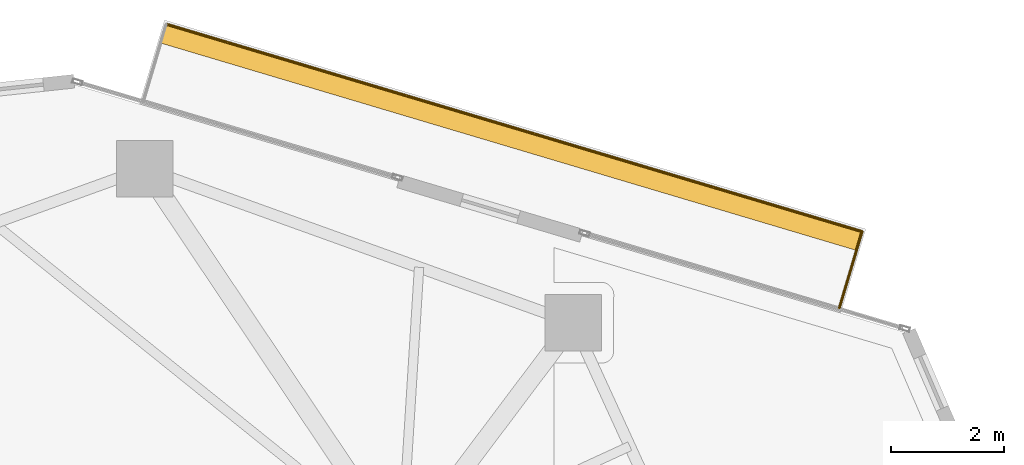
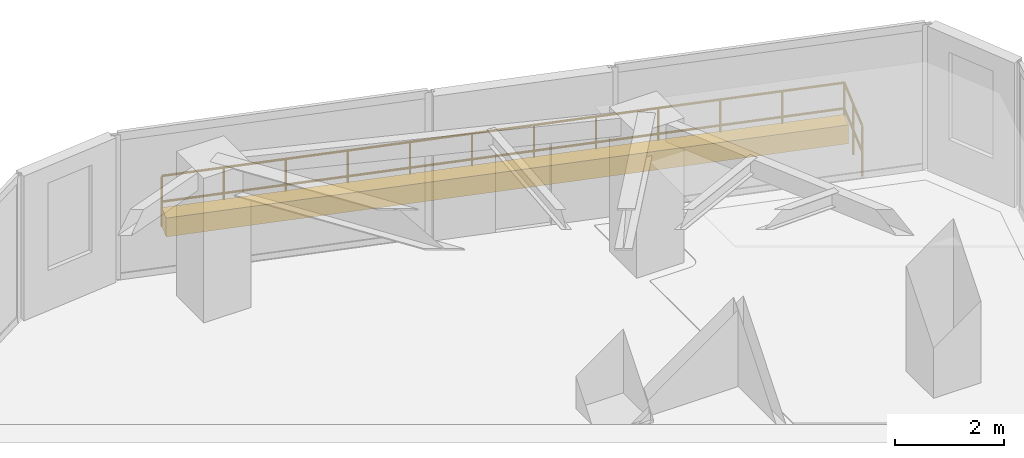
# One storey, part 21 of 21: 2 railings, 1 covering.
"""IFC4 building model written with IfcOpenShell, lengths in metres."""

from ifc_helpers import new_model, si_unit, direction, frame, origin, origin_2d, place, context, subcontext, project, spatial, polyline, circle, outline, extrude, material, layer, layer_set, type_object, element, save


model = new_model("IFC4")

# Units and contexts
model_context = context("Model", 3, precision=1e-05, world=origin(), true_north=direction((0.0, 1.0)))
body_context = subcontext(model_context, "Body", "Model", "MODEL_VIEW")
ifc_project = project(units=[si_unit("LENGTHUNIT", "METRE"), si_unit("AREAUNIT", "SQUARE_METRE"), si_unit("VOLUMEUNIT", "CUBIC_METRE"), si_unit("PLANEANGLEUNIT", "RADIAN"), si_unit("MASSUNIT", "GRAM", prefix="KILO")], contexts=[model_context])

# Site, building, storey
site_placement = place(None, origin())
site = spatial("IfcSite", under=ifc_project, at=site_placement, CompositionType="ELEMENT")
building_placement = place(site_placement, origin())
building = spatial("IfcBuilding", under=site, at=building_placement, Name="Talar Marvaseh", CompositionType="ELEMENT")
storey_placement = place(building_placement, frame((0.0, 0.0, 184.5)))
storey = spatial("IfcBuildingStorey", under=building, at=storey_placement, Name="L48", CompositionType="ELEMENT", Elevation=184.5)

# Railings
ifc_material_1 = material(Name="Tempered Clear Glass", Category="glass")
railing_type = type_object("IfcRailingType", Name="External Laminated Glass Terrace Balustrade 1150", PredefinedType="BALUSTRADE", material=ifc_material_1)
railing_1_placement = place(storey_placement, frame((29.14306640625, 46.22412109375, 0.0)))
element("IfcRailing", 1, at=railing_1_placement, inside=storey, type_object=railing_type, Name="L48 External Terrace Balustrade 1 2", PredefinedType="BALUSTRADE", context=body_context, shape_type="SweptSolid", body=[
    extrude(circle(Radius=0.02392578125, at=origin_2d()), frame((0.0, 0.0, 1.1259765625), z_axis=(0.95833973369, -0.285630801614, 0.0), x_axis=(0.285630801614, 0.95833973369, 0.0)), (0.0, 0.0, 1.0), 12.839111328125),
    extrude(circle(Radius=0.02392578125, at=origin_2d()), frame((0.0, 0.0, 0.55078125), z_axis=(0.95833973369, -0.285630801614, 0.0), x_axis=(0.285630801614, 0.95833973369, 0.0)), (0.0, 0.0, 1.0), 12.839111328125),
    extrude(circle(Radius=0.02099609375, at=origin_2d()), origin(), (0.0, 0.0, 1.0), 1.101806640625),
    extrude(circle(Radius=0.02099609375, at=origin_2d()), frame((1.11865234375, -0.33349609375, 0.0)), (0.0, 0.0, 1.0), 1.101806640625),
    extrude(circle(Radius=0.02099609375, at=origin_2d()), frame((2.237060546875, -0.666748046875, 0.0)), (0.0, 0.0, 1.0), 1.101806640625),
    extrude(circle(Radius=0.02099609375, at=origin_2d()), frame((3.355712890625, -1.000244140625, 0.0)), (0.0, 0.0, 1.0), 1.101806640625),
    extrude(circle(Radius=0.02099609375, at=origin_2d()), frame((4.474365234375, -1.33349609375, 0.0)), (0.0, 0.0, 1.0), 1.101806640625),
    extrude(circle(Radius=0.02099609375, at=origin_2d()), frame((5.5927734375, -1.6669921875, 0.0)), (0.0, 0.0, 1.0), 1.101806640625),
    extrude(circle(Radius=0.02099609375, at=origin_2d()), frame((6.71142578125, -2.000244140625, 0.0)), (0.0, 0.0, 1.0), 1.101806640625),
    extrude(circle(Radius=0.02099609375, at=origin_2d()), frame((7.829833984375, -2.333740234375, 0.0)), (0.0, 0.0, 1.0), 1.101806640625),
    extrude(circle(Radius=0.02099609375, at=origin_2d()), frame((8.948486328125, -2.6669921875, 0.0)), (0.0, 0.0, 1.0), 1.101806640625),
    extrude(circle(Radius=0.02099609375, at=origin_2d()), frame((10.067138671875, -3.00048828125, 0.0)), (0.0, 0.0, 1.0), 1.101806640625),
    extrude(circle(Radius=0.02099609375, at=origin_2d()), frame((11.185546875, -3.333740234375, 0.0)), (0.0, 0.0, 1.0), 1.101806640625),
    extrude(circle(Radius=0.02099609375, at=origin_2d()), frame((12.30419921875, -3.667236328125, 0.0)), (0.0, 0.0, 1.0), 1.101806640625),
])
railing_2_placement = place(storey_placement, frame((41.447265625, 42.556884765625, 0.0)))
element("IfcRailing", 2, at=railing_2_placement, inside=storey, type_object=railing_type, Name="L48 External Terrace Balustrade 1 3", PredefinedType="BALUSTRADE", context=body_context, shape_type="SweptSolid", body=[
    extrude(circle(Radius=0.02392578125, at=origin_2d()), frame((0.0, 0.0, 1.1259765625), z_axis=(-0.285727004252, -0.958311055473, 0.0), x_axis=(0.958311055473, -0.285727004252, 0.0)), (0.0, 0.0, 1.0), 1.409912109375),
    extrude(circle(Radius=0.02392578125, at=origin_2d()), frame((0.0, 0.0, 0.55078125), z_axis=(-0.285727004252, -0.958311055473, 0.0), x_axis=(0.958311055473, -0.285727004252, 0.0)), (0.0, 0.0, 1.0), 1.409912109375),
    extrude(circle(Radius=0.02099609375, at=origin_2d()), origin(), (0.0, 0.0, 1.0), 1.101806640625),
    extrude(circle(Radius=0.02099609375, at=origin_2d()), frame((-0.201416015625, -0.675537109375, 0.0)), (0.0, 0.0, 1.0), 1.101806640625),
    extrude(circle(Radius=0.02099609375, at=origin_2d()), frame((-0.40283203125, -1.35107421875, 0.0)), (0.0, 0.0, 1.0), 1.101806640625),
])

# Covering
ifc_material_2 = material(Name="Planted Terrace Vegetated Substrate")
ifc_layer = layer(ifc_material_2, 0.39990234375)
ifc_layer_set = layer_set([ifc_layer], Name="Planted Terrace Vegetated Substrate")
covering_type = type_object("IfcCoveringType", Name="Planted Terrace Soil Planter Box Cladding", PredefinedType="CLADDING", material=ifc_layer_set)
covering_placement = place(storey_placement, origin())
element("IfcCovering", 3, at=covering_placement, inside=storey, type_object=covering_type, Name="L48 Balcony Structural Planter 1", PredefinedType="CLADDING", context=body_context, shape_type="SweptSolid", body=[
    extrude(outline(polyline([(29.14306640625, 46.22412109375), (41.447265625, 42.556884765625), (41.347412109375, 42.221435546875), (29.043212890625, 45.888671875), (29.14306640625, 46.22412109375)])), origin(), (0.0, 0.0, 1.0), 0.419921875),
])

save(model, "model.ifc")
